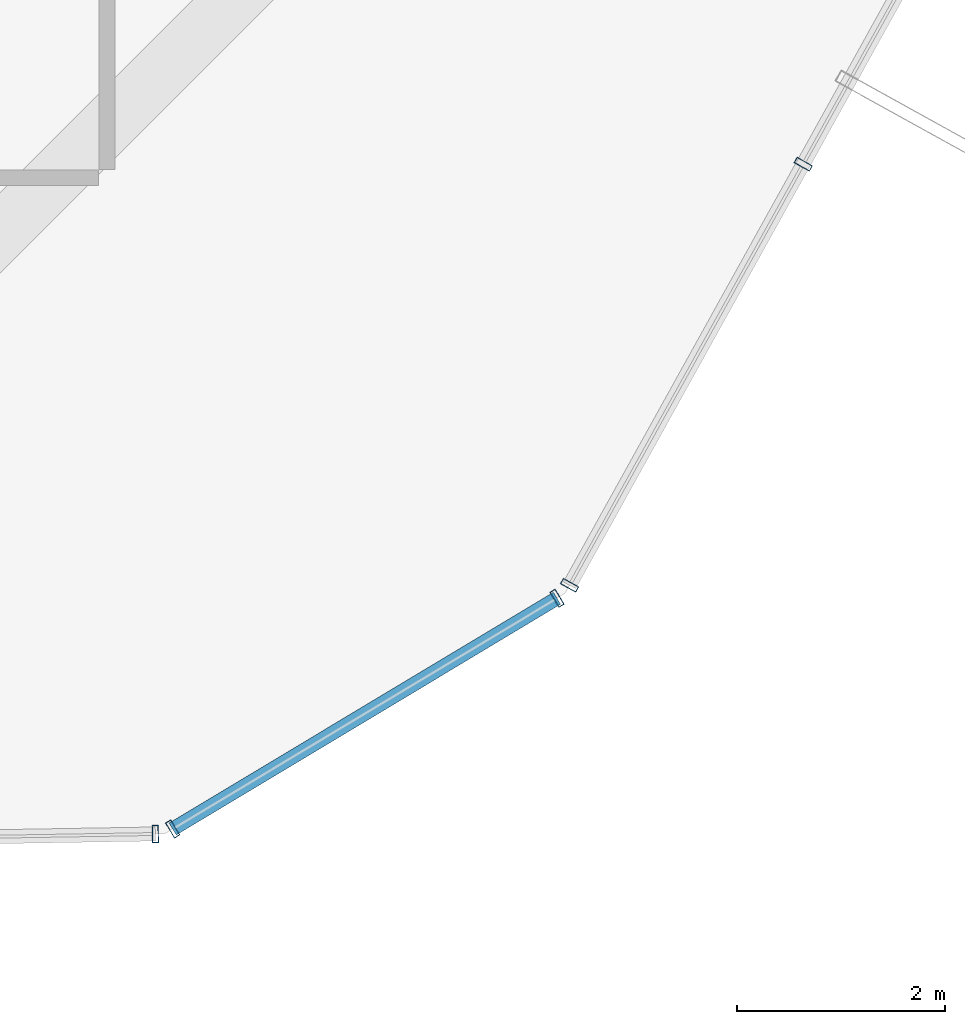
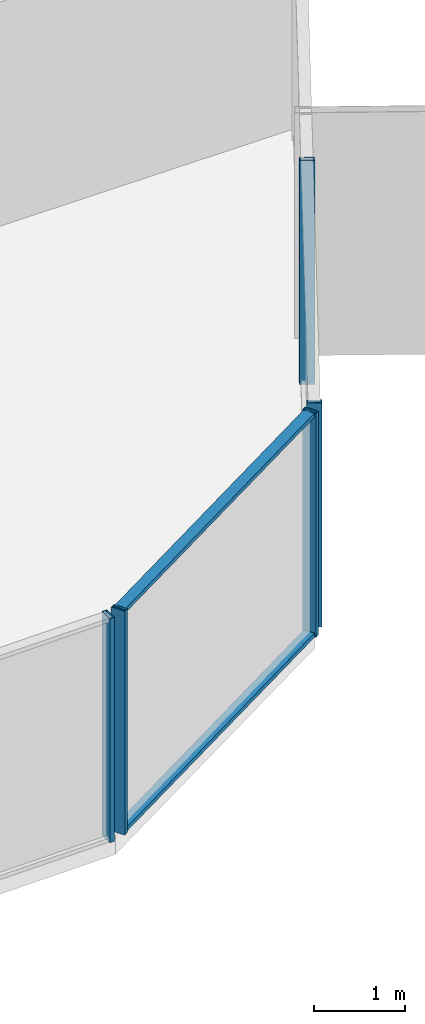
# One storey, part 14 of 39: 7 members, 3 elements without a shape of their own.
"""IFC4 building model written with IfcOpenShell, lengths in metres."""

from ifc_helpers import new_model, si_unit, direction, frame, origin, origin_2d, place, context, subcontext, project, spatial, hollow_rectangle, extrude, source, transform, mapped, material, layer, layer_set, material_profile, profile_set, type_object, element, aggregate, save


model = new_model("IFC4")

# Units and contexts
model_context = context("Model", 3, precision=1e-05, world=origin(), true_north=direction((0.0, 1.0)))
body_context = subcontext(model_context, "Body", "Model", "MODEL_VIEW")
ifc_project = project(units=[si_unit("LENGTHUNIT", "METRE"), si_unit("AREAUNIT", "SQUARE_METRE"), si_unit("VOLUMEUNIT", "CUBIC_METRE"), si_unit("PLANEANGLEUNIT", "RADIAN"), si_unit("MASSUNIT", "GRAM", prefix="KILO")], contexts=[model_context])

# Site, building, storey
site_placement = place(None, origin())
site = spatial("IfcSite", under=ifc_project, at=site_placement, CompositionType="ELEMENT")
building_placement = place(site_placement, origin())
building = spatial("IfcBuilding", under=site, at=building_placement, Name="Veraguas Prism Commons", CompositionType="ELEMENT")
storey_placement = place(building_placement, frame((0.0, 0.0, 27.300048828125)))
storey = spatial("IfcBuildingStorey", under=building, at=storey_placement, Name="L06", CompositionType="ELEMENT", Elevation=27.300048828125)

# Curtain wall, member
ifc_material = material(Name="Anodised aluminium EN AW-6063 T6", Category="aluminium")
ifc_layer = layer(ifc_material, 0.169921875, Name="Unitised Flush Curtain Wall Zone 1", Category="aluminium")
ifc_layer_set = layer_set([ifc_layer], Name="Anodised aluminium EN AW-6063 T6")
curtain_wall_type = type_object("IfcCurtainWallType", Name="Unitised Flush Curtain Wall Zone 1", PredefinedType="NOTDEFINED", material=ifc_layer_set)
curtain_wall_1_placement = place(storey_placement, origin())
curtain_wall_1 = element("IfcCurtainWall", 1, at=curtain_wall_1_placement, inside=storey, type_object=curtain_wall_type, Name="Tower Facade Curtain Wall L06-F5", PredefinedType="NOTDEFINED")
ifc_material_profile_1 = material_profile(ifc_material, hollow_rectangle(XDim=0.06005859375, YDim=0.169921875, WallThickness=0.00390625, at=origin_2d()), Name="AL60X170X4")
ifc_profile_set_1 = profile_set([ifc_material_profile_1], Name="Anodised aluminium EN AW-6063 T6")
member_type_1 = type_object("IfcMemberType", Name="Curtain Wall Mullion Lower AL 60x170x4", PredefinedType="MULLION", material=ifc_profile_set_1)
shared_shape_1 = source(origin(), body_context, "Body", "SweptSolid", [
    extrude(hollow_rectangle(XDim=0.06005859375, YDim=0.169921875, WallThickness=0.00390625, at=origin_2d()), origin(), (0.0, 0.0, 1.0), 3.0),
])
member_1_placement = place(storey_placement, frame((33.666015625, 3.377685546875, 0.0), z_axis=(0.0, 0.0, 1.0), x_axis=(0.999853696429, 0.017105137769, 0.0)))
member_1 = element("IfcMember", 2, at=member_1_placement, type_object=member_type_1, Name="CW-Z1 Mullion 5", PredefinedType="MULLION", context=body_context, shape_type="MappedRepresentation", body=[
    mapped(shared_shape_1, transform((0.0, 0.0, 0.0), scale=1.0)),
])
aggregate(curtain_wall_1, [member_1])

# Curtain wall, members
curtain_wall_2_placement = place(storey_placement, origin())
curtain_wall_2 = element("IfcCurtainWall", 3, at=curtain_wall_2_placement, inside=storey, type_object=curtain_wall_type, Name="Tower Facade Curtain Wall L06-F6", PredefinedType="NOTDEFINED")
member_2_placement = place(storey_placement, frame((37.65771484375, 5.7744140625, 0.0), z_axis=(0.0, 0.0, 1.0), x_axis=(0.485116416779, 0.874449576689, 0.0)))
member_2 = element("IfcMember", 4, at=member_2_placement, type_object=member_type_1, Name="CW-Z1 Mullion 1", PredefinedType="MULLION", context=body_context, shape_type="MappedRepresentation", body=[
    mapped(shared_shape_1, transform((0.0, 0.0, 0.0), scale=1.0)),
])
member_3_placement = place(storey_placement, frame((39.9091796875, 9.83251953125, 0.0), z_axis=(0.0, 0.0, 1.0), x_axis=(0.485116416779, 0.874449576689, 0.0)))
member_3 = element("IfcMember", 5, at=member_3_placement, type_object=member_type_1, Name="CW-Z1 Mullion 2", PredefinedType="MULLION", context=body_context, shape_type="MappedRepresentation", body=[
    mapped(shared_shape_1, transform((0.0, 0.0, 0.0), scale=1.0)),
])
aggregate(curtain_wall_2, [member_2, member_3])

curtain_wall_3_placement = place(storey_placement, origin())
curtain_wall_3 = element("IfcCurtainWall", 6, at=curtain_wall_3_placement, inside=storey, type_object=curtain_wall_type, Name="Chamfer Curtain Wall L06-C6", PredefinedType="NOTDEFINED")
member_4_placement = place(storey_placement, frame((33.8330078125, 3.425537109375, 0.0), z_axis=(0.0, 0.0, 1.0), x_axis=(0.857349725835, 0.51473434664, 0.0)))
member_4 = element("IfcMember", 7, at=member_4_placement, type_object=member_type_1, Name="CW-Z1 Mullion 1", PredefinedType="MULLION", context=body_context, shape_type="MappedRepresentation", body=[
    mapped(shared_shape_1, transform((0.0, 0.0, 0.0), scale=1.0)),
])
member_5_placement = place(storey_placement, frame((37.536865234375, 5.649169921875, 0.0), z_axis=(0.0, 0.0, 1.0), x_axis=(0.857349725835, 0.51473434664, 0.0)))
member_5 = element("IfcMember", 8, at=member_5_placement, type_object=member_type_1, Name="CW-Z1 Mullion 2", PredefinedType="MULLION", context=body_context, shape_type="MappedRepresentation", body=[
    mapped(shared_shape_1, transform((0.0, 0.0, 0.0), scale=1.0)),
])
ifc_material_profile_2 = material_profile(ifc_material, hollow_rectangle(XDim=0.054931640625, YDim=0.135009765625, WallThickness=0.0029296875, at=origin_2d()), Name="AL55X135X3")
ifc_profile_set_2 = profile_set([ifc_material_profile_2], Name="Anodised aluminium EN AW-6063 T6")
member_type_2 = type_object("IfcMemberType", Name="Curtain Wall Transom Standard AL 55x135x3", PredefinedType="USERDEFINED", material=ifc_profile_set_2)
shared_shape_2 = source(origin(), body_context, "Body", "SweptSolid", [
    extrude(hollow_rectangle(XDim=0.054931640625, YDim=0.135009765625, WallThickness=0.0029296875, at=origin_2d()), origin(), (0.0, 0.0, 1.0), 4.320068359375),
])
member_6_placement = place(storey_placement, frame((33.8330078125, 3.425537109375, 0.02734375), z_axis=(0.857358262514, 0.514720127544, 0.0), x_axis=(0.0, 0.0, 1.0)))
member_6 = element("IfcMember", 9, at=member_6_placement, type_object=member_type_2, Name="CW-Z1 Transom 1", ObjectType="TRANSOM", PredefinedType="USERDEFINED", context=body_context, shape_type="MappedRepresentation", body=[
    mapped(shared_shape_2, transform((0.0, 0.0, 0.0), scale=1.0)),
])
member_7_placement = place(storey_placement, frame((33.8330078125, 3.425537109375, 2.972412109375), z_axis=(0.857358262514, 0.514720127544, 0.0), x_axis=(0.0, 0.0, 1.0)))
member_7 = element("IfcMember", 10, at=member_7_placement, type_object=member_type_2, Name="CW-Z1 Transom 2", ObjectType="TRANSOM", PredefinedType="USERDEFINED", context=body_context, shape_type="MappedRepresentation", body=[
    mapped(shared_shape_2, transform((0.0, 0.0, 0.0), scale=1.0)),
])
aggregate(curtain_wall_3, [member_4, member_5, member_6, member_7])

save(model, "model.ifc")
